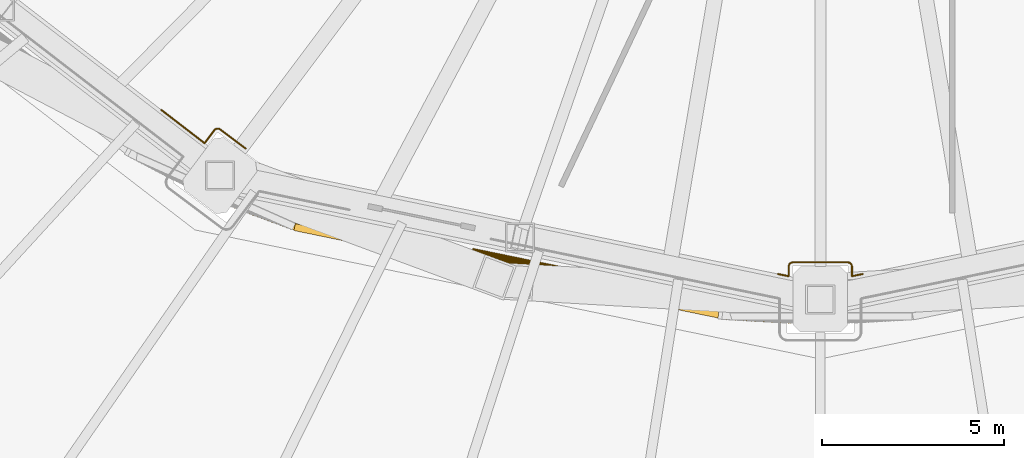
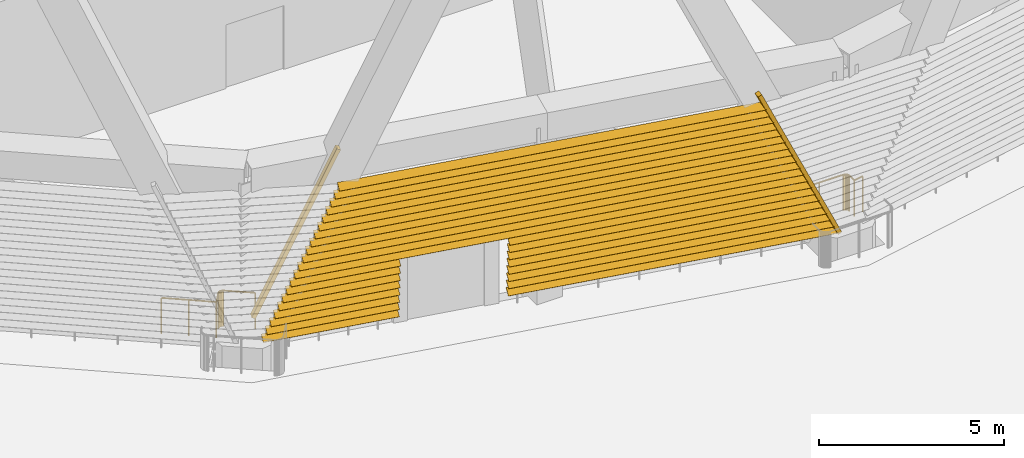
# One storey, part 17 of 27: 2 railings, 1 shading device.
"""IFC4 building model written with IfcOpenShell, lengths in metres."""

from ifc_helpers import new_model, si_unit, direction, frame, origin, origin_2d, place, context, subcontext, project, spatial, rectangle, circle, extrude, material, type_object, element, save


model = new_model("IFC4")

# Units and contexts
model_context = context("Model", 3, precision=1e-05, world=origin(), true_north=direction((0.0, 1.0)))
body_context = subcontext(model_context, "Body", "Model", "MODEL_VIEW")
ifc_project = project(units=[si_unit("LENGTHUNIT", "METRE"), si_unit("AREAUNIT", "SQUARE_METRE"), si_unit("VOLUMEUNIT", "CUBIC_METRE"), si_unit("PLANEANGLEUNIT", "RADIAN"), si_unit("MASSUNIT", "GRAM", prefix="KILO")], contexts=[model_context])

# Site, building, storey
site_placement = place(None, origin())
site = spatial("IfcSite", under=ifc_project, at=site_placement, CompositionType="ELEMENT")
building_placement = place(site_placement, origin())
building = spatial("IfcBuilding", under=site, at=building_placement, Name="Sahrelin Media Tower", CompositionType="ELEMENT")
storey_placement = place(building_placement, frame((0.0, 0.0, 44.0)))
storey = spatial("IfcBuildingStorey", under=building, at=storey_placement, Name="L06", CompositionType="ELEMENT", Elevation=44.0)

# Railings
ifc_material_1 = material(Name="Stainless steel 316", Category="steel")
railing_type = type_object("IfcRailingType", Name="Maintenance platform guard", PredefinedType="GUARDRAIL", material=ifc_material_1)
railing_1_placement = place(storey_placement, frame((-15.790283203125, -21.25439453125, 0.0)))
element("IfcRailing", 1, at=railing_1_placement, inside=storey, type_object=railing_type, Name="Plant level edge guard 9", PredefinedType="GUARDRAIL", context=body_context, shape_type="SweptSolid", body=[
    extrude(circle(Radius=0.02392578125, at=origin_2d()), frame((0.0, 0.0, 1.17578125), z_axis=(-0.799865924291, 0.600178726013, 0.0), x_axis=(-0.600178726013, -0.799865924291, 0.0)), (0.0, 0.0, 1.0), 0.874267578125),
    extrude(circle(Radius=0.02392578125, at=origin_2d()), frame((-0.69921875, 0.524658203125, 1.17578125), z_axis=(-0.828588968691, 0.559857411278, 0.0), x_axis=(-0.559857411278, -0.828588968691, 0.0)), (0.0, 0.0, 1.0), 0.010986328125),
    extrude(circle(Radius=0.02392578125, at=origin_2d()), frame((-0.708251953125, 0.53076171875, 1.17578125), z_axis=(-0.890043364859, 0.455875869806, 0.0), x_axis=(-0.455875869806, -0.890043364859, 0.0)), (0.0, 0.0, 1.0), 0.01123046875),
    extrude(circle(Radius=0.02392578125, at=origin_2d()), frame((-0.71826171875, 0.535888671875, 1.17578125), z_axis=(-0.91785703596, 0.396911150685, 0.0), x_axis=(-0.396911150685, -0.91785703596, 0.0)), (0.0, 0.0, 1.0), 0.009765625),
    extrude(circle(Radius=0.02392578125, at=origin_2d()), frame((-0.727294921875, 0.539794921875, 1.17578125), z_axis=(-0.950605456491, 0.310401781711, 0.0), x_axis=(-0.310401781711, -0.950605456491, 0.0)), (0.0, 0.0, 1.0), 0.0126953125),
    extrude(circle(Radius=0.02392578125, at=origin_2d()), frame((-0.7392578125, 0.543701171875, 1.17578125), z_axis=(-0.978980419738, 0.203954254112, 0.0), x_axis=(-0.203954254112, -0.978980419738, 0.0)), (0.0, 0.0, 1.0), 0.011962890625),
    extrude(circle(Radius=0.02392578125, at=origin_2d()), frame((-0.7509765625, 0.546142578125, 1.17578125), z_axis=(-0.99522852512, 0.097571424031, 0.0), x_axis=(-0.097571424031, -0.99522852512, 0.0)), (0.0, 0.0, 1.0), 0.012451171875),
    extrude(circle(Radius=0.02392578125, at=origin_2d()), frame((-0.763427734375, 0.54736328125, 1.17578125), z_axis=(-1.0, 0.0, 0.0), x_axis=(0.0, -1.0, 0.0)), (0.0, 0.0, 1.0), 0.01220703125),
    extrude(circle(Radius=0.02392578125, at=origin_2d()), frame((-0.775634765625, 0.54736328125, 1.17578125), z_axis=(-0.99503719021, -0.099503719021, 0.0), x_axis=(0.099503719021, -0.99503719021, 0.0)), (0.0, 0.0, 1.0), 0.01220703125),
    extrude(circle(Radius=0.02392578125, at=origin_2d()), frame((-0.787841796875, 0.546142578125, 1.17578125), z_axis=(-0.979602700641, -0.200944143721, 0.0), x_axis=(0.200944143721, -0.979602700641, 0.0)), (0.0, 0.0, 1.0), 0.009765625),
    extrude(circle(Radius=0.02392578125, at=origin_2d()), frame((-0.79736328125, 0.544189453125, 1.17578125), z_axis=(-0.967822506788, -0.251633851765, 0.0), x_axis=(0.251633851765, -0.967822506788, 0.0)), (0.0, 0.0, 1.0), 0.0126953125),
    extrude(circle(Radius=0.02392578125, at=origin_2d()), frame((-0.8095703125, 0.541015625, 1.17578125), z_axis=(-0.911586756889, -0.411107753107, 0.0), x_axis=(0.411107753107, -0.911586756889, 0.0)), (0.0, 0.0, 1.0), 0.013671875),
    extrude(circle(Radius=0.02392578125, at=origin_2d()), frame((-0.822021484375, 0.535400390625, 1.17578125), z_axis=(-0.885397902838, -0.46483389899, 0.0), x_axis=(0.46483389899, -0.885397902838, 0.0)), (0.0, 0.0, 1.0), 0.010986328125),
    extrude(circle(Radius=0.02392578125, at=origin_2d()), frame((-0.831787109375, 0.5302734375, 1.17578125), z_axis=(-0.82039816677, -0.571792661688, 0.0), x_axis=(0.571792661688, -0.82039816677, 0.0)), (0.0, 0.0, 1.0), 0.009765625),
    extrude(circle(Radius=0.02392578125, at=origin_2d()), frame((-0.83984375, 0.524658203125, 1.17578125), z_axis=(-0.8, -0.6, 0.0), x_axis=(0.6, -0.8, 0.0)), (0.0, 0.0, 1.0), 0.010986328125),
    extrude(circle(Radius=0.02392578125, at=origin_2d()), frame((-0.8486328125, 0.51806640625, 1.17578125), z_axis=(-0.715376179206, -0.698739523875, 0.0), x_axis=(0.698739523875, -0.715376179206, 0.0)), (0.0, 0.0, 1.0), 0.0146484375),
    extrude(circle(Radius=0.02392578125, at=origin_2d()), frame((-0.859130859375, 0.5078125, 1.17578125), z_axis=(-0.621394711002, -0.78349767909, 0.0), x_axis=(0.78349767909, -0.621394711002, 0.0)), (0.0, 0.0, 1.0), 0.009033203125),
    extrude(circle(Radius=0.02392578125, at=origin_2d()), frame((-0.86474609375, 0.500732421875, 1.17578125), z_axis=(-0.6, -0.8, 0.0), x_axis=(0.8, -0.6, 0.0)), (0.0, 0.0, 1.0), 0.440673828125),
    extrude(circle(Radius=0.02392578125, at=origin_2d()), frame((-1.129150390625, 0.148193359375, 1.17578125), z_axis=(-0.792496907221, 0.609875931682, 0.0), x_axis=(-0.609875931682, -0.792496907221, 0.0)), (0.0, 0.0, 1.0), 1.5),
    extrude(circle(Radius=0.02099609375, at=origin_2d()), origin(), (0.0, 0.0, 1.0), 1.15185546875),
    extrude(circle(Radius=0.02099609375, at=origin_2d()), frame((-0.69921875, 0.524658203125, 0.0)), (0.0, 0.0, 1.0), 1.15185546875),
    extrude(circle(Radius=0.02099609375, at=origin_2d()), frame((-0.708251953125, 0.53076171875, 0.0)), (0.0, 0.0, 1.0), 1.15185546875),
    extrude(circle(Radius=0.02099609375, at=origin_2d()), frame((-0.71826171875, 0.535888671875, 0.0)), (0.0, 0.0, 1.0), 1.15185546875),
    extrude(circle(Radius=0.02099609375, at=origin_2d()), frame((-0.727294921875, 0.539794921875, 0.0)), (0.0, 0.0, 1.0), 1.15185546875),
    extrude(circle(Radius=0.02099609375, at=origin_2d()), frame((-0.7392578125, 0.543701171875, 0.0)), (0.0, 0.0, 1.0), 1.15185546875),
    extrude(circle(Radius=0.02099609375, at=origin_2d()), frame((-0.7509765625, 0.546142578125, 0.0)), (0.0, 0.0, 1.0), 1.15185546875),
    extrude(circle(Radius=0.02099609375, at=origin_2d()), frame((-0.763427734375, 0.54736328125, 0.0)), (0.0, 0.0, 1.0), 1.15185546875),
    extrude(circle(Radius=0.02099609375, at=origin_2d()), frame((-0.775634765625, 0.54736328125, 0.0)), (0.0, 0.0, 1.0), 1.15185546875),
    extrude(circle(Radius=0.02099609375, at=origin_2d()), frame((-0.787841796875, 0.546142578125, 0.0)), (0.0, 0.0, 1.0), 1.15185546875),
    extrude(circle(Radius=0.02099609375, at=origin_2d()), frame((-0.79736328125, 0.544189453125, 0.0)), (0.0, 0.0, 1.0), 1.15185546875),
    extrude(circle(Radius=0.02099609375, at=origin_2d()), frame((-0.8095703125, 0.541015625, 0.0)), (0.0, 0.0, 1.0), 1.15185546875),
    extrude(circle(Radius=0.02099609375, at=origin_2d()), frame((-0.822021484375, 0.535400390625, 0.0)), (0.0, 0.0, 1.0), 1.15185546875),
    extrude(circle(Radius=0.02099609375, at=origin_2d()), frame((-0.831787109375, 0.5302734375, 0.0)), (0.0, 0.0, 1.0), 1.15185546875),
    extrude(circle(Radius=0.02099609375, at=origin_2d()), frame((-0.83984375, 0.524658203125, 0.0)), (0.0, 0.0, 1.0), 1.15185546875),
    extrude(circle(Radius=0.02099609375, at=origin_2d()), frame((-0.8486328125, 0.51806640625, 0.0)), (0.0, 0.0, 1.0), 1.15185546875),
    extrude(circle(Radius=0.02099609375, at=origin_2d()), frame((-0.859130859375, 0.5078125, 0.0)), (0.0, 0.0, 1.0), 1.15185546875),
    extrude(circle(Radius=0.02099609375, at=origin_2d()), frame((-0.86474609375, 0.500732421875, 0.0)), (0.0, 0.0, 1.0), 1.15185546875),
    extrude(circle(Radius=0.02099609375, at=origin_2d()), frame((-1.129150390625, 0.148193359375, 0.0)), (0.0, 0.0, 1.0), 1.15185546875),
    extrude(circle(Radius=0.02099609375, at=origin_2d()), frame((-1.7236328125, 0.60546875, 0.0)), (0.0, 0.0, 1.0), 1.15185546875),
    extrude(circle(Radius=0.02099609375, at=origin_2d()), frame((-2.31787109375, 1.06298828125, 0.0)), (0.0, 0.0, 1.0), 1.15185546875),
])
railing_2_placement = place(storey_placement, frame((1.1640625, -24.700439453125, 0.0)))
element("IfcRailing", 2, at=railing_2_placement, inside=storey, type_object=railing_type, Name="Plant level edge guard 10", PredefinedType="GUARDRAIL", context=body_context, shape_type="SweptSolid", body=[
    extrude(circle(Radius=0.02392578125, at=origin_2d()), frame((0.0, 0.0, 1.17578125), z_axis=(-0.979438136355, -0.201744732405, 0.0), x_axis=(0.201744732405, -0.979438136355, 0.0)), (0.0, 0.0, 1.0), 0.300048828125),
    extrude(circle(Radius=0.02392578125, at=origin_2d()), frame((-0.2939453125, -0.060546875, 1.17578125), z_axis=(0.0, 1.0, 0.0), x_axis=(-1.0, 0.0, 0.0)), (0.0, 0.0, 1.0), 0.263427734375),
    extrude(circle(Radius=0.02392578125, at=origin_2d()), frame((-0.2939453125, 0.202880859375, 1.17578125), z_axis=(-0.074789948242, 0.997199309888, 0.0), x_axis=(-0.997199309888, -0.074789948242, 0.0)), (0.0, 0.0, 1.0), 0.009765625),
    extrude(circle(Radius=0.02392578125, at=origin_2d()), frame((-0.294677734375, 0.212646484375, 1.17578125), z_axis=(-0.138647844534, 0.990341746674, 0.0), x_axis=(-0.990341746674, -0.138647844534, 0.0)), (0.0, 0.0, 1.0), 0.01220703125),
    extrude(circle(Radius=0.02392578125, at=origin_2d()), frame((-0.29638671875, 0.224853515625, 1.17578125), z_axis=(-0.25449329928, 0.967074537263, 0.0), x_axis=(-0.967074537263, -0.25449329928, 0.0)), (0.0, 0.0, 1.0), 0.009521484375),
    extrude(circle(Radius=0.02392578125, at=origin_2d()), frame((-0.298828125, 0.234130859375, 1.17578125), z_axis=(-0.310738856307, 0.950495325176, 0.0), x_axis=(-0.950495325176, -0.310738856307, 0.0)), (0.0, 0.0, 1.0), 0.013427734375),
    extrude(circle(Radius=0.02392578125, at=origin_2d()), frame((-0.302978515625, 0.246826171875, 1.17578125), z_axis=(-0.461934418837, 0.886914084167, 0.0), x_axis=(-0.886914084167, -0.461934418837, 0.0)), (0.0, 0.0, 1.0), 0.01318359375),
    extrude(circle(Radius=0.02392578125, at=origin_2d()), frame((-0.30908203125, 0.258544921875, 1.17578125), z_axis=(-0.509802390302, 0.860291533634, 0.0), x_axis=(-0.860291533634, -0.509802390302, 0.0)), (0.0, 0.0, 1.0), 0.007568359375),
    extrude(circle(Radius=0.02392578125, at=origin_2d()), frame((-0.31298828125, 0.26513671875, 1.17578125), z_axis=(-0.562310021407, 0.82692650207, 0.0), x_axis=(-0.82692650207, -0.562310021407, 0.0)), (0.0, 0.0, 1.0), 0.0146484375),
    extrude(circle(Radius=0.02392578125, at=origin_2d()), frame((-0.3212890625, 0.27734375, 1.17578125), z_axis=(-0.707106781187, 0.707106781187, 0.0), x_axis=(-0.707106781187, -0.707106781187, 0.0)), (0.0, 0.0, 1.0), 0.0224609375),
    extrude(circle(Radius=0.02392578125, at=origin_2d()), frame((-0.337158203125, 0.293212890625, 1.17578125), z_axis=(-0.82692650207, 0.562310021407, 0.0), x_axis=(-0.562310021407, -0.82692650207, 0.0)), (0.0, 0.0, 1.0), 0.0146484375),
    extrude(circle(Radius=0.02392578125, at=origin_2d()), frame((-0.349365234375, 0.301513671875, 1.17578125), z_axis=(-0.860291533634, 0.509802390302, 0.0), x_axis=(-0.509802390302, -0.860291533634, 0.0)), (0.0, 0.0, 1.0), 0.007568359375),
    extrude(circle(Radius=0.02392578125, at=origin_2d()), frame((-0.35595703125, 0.305419921875, 1.17578125), z_axis=(-0.886914084167, 0.461934418837, 0.0), x_axis=(-0.461934418837, -0.886914084167, 0.0)), (0.0, 0.0, 1.0), 0.01318359375),
    extrude(circle(Radius=0.02392578125, at=origin_2d()), frame((-0.36767578125, 0.3115234375, 1.17578125), z_axis=(-0.950495325176, 0.310738856307, 0.0), x_axis=(-0.310738856307, -0.950495325176, 0.0)), (0.0, 0.0, 1.0), 0.013427734375),
    extrude(circle(Radius=0.02392578125, at=origin_2d()), frame((-0.38037109375, 0.315673828125, 1.17578125), z_axis=(-0.967074537263, 0.25449329928, 0.0), x_axis=(-0.25449329928, -0.967074537263, 0.0)), (0.0, 0.0, 1.0), 0.009521484375),
    extrude(circle(Radius=0.02392578125, at=origin_2d()), frame((-0.3896484375, 0.318115234375, 1.17578125), z_axis=(-0.990341746674, 0.138647844534, 0.0), x_axis=(-0.138647844534, -0.990341746674, 0.0)), (0.0, 0.0, 1.0), 0.01220703125),
    extrude(circle(Radius=0.02392578125, at=origin_2d()), frame((-0.40185546875, 0.31982421875, 1.17578125), z_axis=(-0.997199309888, 0.074789948242, 0.0), x_axis=(-0.074789948242, -0.997199309888, 0.0)), (0.0, 0.0, 1.0), 0.009765625),
    extrude(circle(Radius=0.02392578125, at=origin_2d()), frame((-0.41162109375, 0.320556640625, 1.17578125), z_axis=(-1.0, 0.0, 0.0), x_axis=(0.0, -1.0, 0.0)), (0.0, 0.0, 1.0), 1.5048828125),
    extrude(circle(Radius=0.02392578125, at=origin_2d()), frame((-1.91650390625, 0.320556640625, 1.17578125), z_axis=(-0.997199309888, -0.074789948242, 0.0), x_axis=(0.074789948242, -0.997199309888, 0.0)), (0.0, 0.0, 1.0), 0.009765625),
    extrude(circle(Radius=0.02392578125, at=origin_2d()), frame((-1.92626953125, 0.31982421875, 1.17578125), z_axis=(-0.990341746674, -0.138647844534, 0.0), x_axis=(0.138647844534, -0.990341746674, 0.0)), (0.0, 0.0, 1.0), 0.01220703125),
    extrude(circle(Radius=0.02392578125, at=origin_2d()), frame((-1.9384765625, 0.318115234375, 1.17578125), z_axis=(-0.967074537263, -0.25449329928, 0.0), x_axis=(0.25449329928, -0.967074537263, 0.0)), (0.0, 0.0, 1.0), 0.009521484375),
    extrude(circle(Radius=0.02392578125, at=origin_2d()), frame((-1.94775390625, 0.315673828125, 1.17578125), z_axis=(-0.950495325176, -0.310738856307, 0.0), x_axis=(0.310738856307, -0.950495325176, 0.0)), (0.0, 0.0, 1.0), 0.013427734375),
    extrude(circle(Radius=0.02392578125, at=origin_2d()), frame((-1.96044921875, 0.3115234375, 1.17578125), z_axis=(-0.886914084167, -0.461934418837, 0.0), x_axis=(0.461934418837, -0.886914084167, 0.0)), (0.0, 0.0, 1.0), 0.01318359375),
    extrude(circle(Radius=0.02392578125, at=origin_2d()), frame((-1.97216796875, 0.305419921875, 1.17578125), z_axis=(-0.860291533634, -0.509802390302, 0.0), x_axis=(0.509802390302, -0.860291533634, 0.0)), (0.0, 0.0, 1.0), 0.007568359375),
    extrude(circle(Radius=0.02392578125, at=origin_2d()), frame((-1.978759765625, 0.301513671875, 1.17578125), z_axis=(-0.82692650207, -0.562310021407, 0.0), x_axis=(0.562310021407, -0.82692650207, 0.0)), (0.0, 0.0, 1.0), 0.0146484375),
    extrude(circle(Radius=0.02392578125, at=origin_2d()), frame((-1.990966796875, 0.293212890625, 1.17578125), z_axis=(-0.707106781187, -0.707106781187, 0.0), x_axis=(0.707106781187, -0.707106781187, 0.0)), (0.0, 0.0, 1.0), 0.0224609375),
    extrude(circle(Radius=0.02392578125, at=origin_2d()), frame((-2.0068359375, 0.27734375, 1.17578125), z_axis=(-0.562310021407, -0.82692650207, 0.0), x_axis=(0.82692650207, -0.562310021407, 0.0)), (0.0, 0.0, 1.0), 0.0146484375),
    extrude(circle(Radius=0.02392578125, at=origin_2d()), frame((-2.01513671875, 0.26513671875, 1.17578125), z_axis=(-0.509802390302, -0.860291533634, 0.0), x_axis=(0.860291533634, -0.509802390302, 0.0)), (0.0, 0.0, 1.0), 0.007568359375),
    extrude(circle(Radius=0.02392578125, at=origin_2d()), frame((-2.01904296875, 0.258544921875, 1.17578125), z_axis=(-0.461934418837, -0.886914084167, 0.0), x_axis=(0.886914084167, -0.461934418837, 0.0)), (0.0, 0.0, 1.0), 0.01318359375),
    extrude(circle(Radius=0.02392578125, at=origin_2d()), frame((-2.025146484375, 0.246826171875, 1.17578125), z_axis=(-0.310738856307, -0.950495325176, 0.0), x_axis=(0.950495325176, -0.310738856307, 0.0)), (0.0, 0.0, 1.0), 0.013427734375),
    extrude(circle(Radius=0.02392578125, at=origin_2d()), frame((-2.029296875, 0.234130859375, 1.17578125), z_axis=(-0.25449329928, -0.967074537263, 0.0), x_axis=(0.967074537263, -0.25449329928, 0.0)), (0.0, 0.0, 1.0), 0.009521484375),
    extrude(circle(Radius=0.02392578125, at=origin_2d()), frame((-2.03173828125, 0.224853515625, 1.17578125), z_axis=(-0.138647844534, -0.990341746674, 0.0), x_axis=(0.990341746674, -0.138647844534, 0.0)), (0.0, 0.0, 1.0), 0.01220703125),
    extrude(circle(Radius=0.02392578125, at=origin_2d()), frame((-2.033447265625, 0.212646484375, 1.17578125), z_axis=(-0.074789948242, -0.997199309888, 0.0), x_axis=(0.997199309888, -0.074789948242, 0.0)), (0.0, 0.0, 1.0), 0.009765625),
    extrude(circle(Radius=0.02392578125, at=origin_2d()), frame((-2.0341796875, 0.202880859375, 1.17578125), z_axis=(0.0, -1.0, 0.0), x_axis=(1.0, 0.0, 0.0)), (0.0, 0.0, 1.0), 0.263427734375),
    extrude(circle(Radius=0.02392578125, at=origin_2d()), frame((-2.0341796875, -0.060546875, 1.17578125), z_axis=(-0.979438136355, 0.201744732405, 0.0), x_axis=(-0.201744732405, -0.979438136355, 0.0)), (0.0, 0.0, 1.0), 0.300048828125),
    extrude(circle(Radius=0.02099609375, at=origin_2d()), origin(), (0.0, 0.0, 1.0), 1.15185546875),
    extrude(circle(Radius=0.02099609375, at=origin_2d()), frame((-0.2939453125, -0.060546875, 0.0)), (0.0, 0.0, 1.0), 1.15185546875),
    extrude(circle(Radius=0.02099609375, at=origin_2d()), frame((-0.2939453125, 0.202880859375, 0.0)), (0.0, 0.0, 1.0), 1.15185546875),
    extrude(circle(Radius=0.02099609375, at=origin_2d()), frame((-0.294677734375, 0.212646484375, 0.0)), (0.0, 0.0, 1.0), 1.15185546875),
    extrude(circle(Radius=0.02099609375, at=origin_2d()), frame((-0.29638671875, 0.224853515625, 0.0)), (0.0, 0.0, 1.0), 1.15185546875),
    extrude(circle(Radius=0.02099609375, at=origin_2d()), frame((-0.298828125, 0.234130859375, 0.0)), (0.0, 0.0, 1.0), 1.15185546875),
    extrude(circle(Radius=0.02099609375, at=origin_2d()), frame((-0.302978515625, 0.246826171875, 0.0)), (0.0, 0.0, 1.0), 1.15185546875),
    extrude(circle(Radius=0.02099609375, at=origin_2d()), frame((-0.30908203125, 0.258544921875, 0.0)), (0.0, 0.0, 1.0), 1.15185546875),
    extrude(circle(Radius=0.02099609375, at=origin_2d()), frame((-0.31298828125, 0.26513671875, 0.0)), (0.0, 0.0, 1.0), 1.15185546875),
    extrude(circle(Radius=0.02099609375, at=origin_2d()), frame((-0.3212890625, 0.27734375, 0.0)), (0.0, 0.0, 1.0), 1.15185546875),
    extrude(circle(Radius=0.02099609375, at=origin_2d()), frame((-0.337158203125, 0.293212890625, 0.0)), (0.0, 0.0, 1.0), 1.15185546875),
    extrude(circle(Radius=0.02099609375, at=origin_2d()), frame((-0.349365234375, 0.301513671875, 0.0)), (0.0, 0.0, 1.0), 1.15185546875),
    extrude(circle(Radius=0.02099609375, at=origin_2d()), frame((-0.35595703125, 0.305419921875, 0.0)), (0.0, 0.0, 1.0), 1.15185546875),
    extrude(circle(Radius=0.02099609375, at=origin_2d()), frame((-0.36767578125, 0.3115234375, 0.0)), (0.0, 0.0, 1.0), 1.15185546875),
    extrude(circle(Radius=0.02099609375, at=origin_2d()), frame((-0.38037109375, 0.315673828125, 0.0)), (0.0, 0.0, 1.0), 1.15185546875),
    extrude(circle(Radius=0.02099609375, at=origin_2d()), frame((-0.3896484375, 0.318115234375, 0.0)), (0.0, 0.0, 1.0), 1.15185546875),
    extrude(circle(Radius=0.02099609375, at=origin_2d()), frame((-0.40185546875, 0.31982421875, 0.0)), (0.0, 0.0, 1.0), 1.15185546875),
    extrude(circle(Radius=0.02099609375, at=origin_2d()), frame((-0.41162109375, 0.320556640625, 0.0)), (0.0, 0.0, 1.0), 1.15185546875),
    extrude(circle(Radius=0.02099609375, at=origin_2d()), frame((-1.1640625, 0.320556640625, 0.0)), (0.0, 0.0, 1.0), 1.15185546875),
    extrude(circle(Radius=0.02099609375, at=origin_2d()), frame((-1.91650390625, 0.320556640625, 0.0)), (0.0, 0.0, 1.0), 1.15185546875),
    extrude(circle(Radius=0.02099609375, at=origin_2d()), frame((-1.92626953125, 0.31982421875, 0.0)), (0.0, 0.0, 1.0), 1.15185546875),
    extrude(circle(Radius=0.02099609375, at=origin_2d()), frame((-1.9384765625, 0.318115234375, 0.0)), (0.0, 0.0, 1.0), 1.15185546875),
    extrude(circle(Radius=0.02099609375, at=origin_2d()), frame((-1.94775390625, 0.315673828125, 0.0)), (0.0, 0.0, 1.0), 1.15185546875),
    extrude(circle(Radius=0.02099609375, at=origin_2d()), frame((-1.96044921875, 0.3115234375, 0.0)), (0.0, 0.0, 1.0), 1.15185546875),
    extrude(circle(Radius=0.02099609375, at=origin_2d()), frame((-1.97216796875, 0.305419921875, 0.0)), (0.0, 0.0, 1.0), 1.15185546875),
    extrude(circle(Radius=0.02099609375, at=origin_2d()), frame((-1.978759765625, 0.301513671875, 0.0)), (0.0, 0.0, 1.0), 1.15185546875),
    extrude(circle(Radius=0.02099609375, at=origin_2d()), frame((-1.990966796875, 0.293212890625, 0.0)), (0.0, 0.0, 1.0), 1.15185546875),
    extrude(circle(Radius=0.02099609375, at=origin_2d()), frame((-2.0068359375, 0.27734375, 0.0)), (0.0, 0.0, 1.0), 1.15185546875),
    extrude(circle(Radius=0.02099609375, at=origin_2d()), frame((-2.01513671875, 0.26513671875, 0.0)), (0.0, 0.0, 1.0), 1.15185546875),
    extrude(circle(Radius=0.02099609375, at=origin_2d()), frame((-2.01904296875, 0.258544921875, 0.0)), (0.0, 0.0, 1.0), 1.15185546875),
    extrude(circle(Radius=0.02099609375, at=origin_2d()), frame((-2.025146484375, 0.246826171875, 0.0)), (0.0, 0.0, 1.0), 1.15185546875),
    extrude(circle(Radius=0.02099609375, at=origin_2d()), frame((-2.029296875, 0.234130859375, 0.0)), (0.0, 0.0, 1.0), 1.15185546875),
    extrude(circle(Radius=0.02099609375, at=origin_2d()), frame((-2.03173828125, 0.224853515625, 0.0)), (0.0, 0.0, 1.0), 1.15185546875),
    extrude(circle(Radius=0.02099609375, at=origin_2d()), frame((-2.033447265625, 0.212646484375, 0.0)), (0.0, 0.0, 1.0), 1.15185546875),
    extrude(circle(Radius=0.02099609375, at=origin_2d()), frame((-2.0341796875, 0.202880859375, 0.0)), (0.0, 0.0, 1.0), 1.15185546875),
    extrude(circle(Radius=0.02099609375, at=origin_2d()), frame((-2.0341796875, -0.060546875, 0.0)), (0.0, 0.0, 1.0), 1.15185546875),
    extrude(circle(Radius=0.02099609375, at=origin_2d()), frame((-2.328125, 0.0, 0.0)), (0.0, 0.0, 1.0), 1.15185546875),
])

# Shading device
ifc_material_2 = material(Name="Champagne anodised aluminium 6063-T6", Category="aluminium")
shading_device_type = type_object("IfcShadingDeviceType", Name="Sand-rejection louvre band", PredefinedType="USERDEFINED", material=ifc_material_2)
shading_device_placement = place(storey_placement, frame((-8.280029296875, -23.6923828125, 0.0), z_axis=(0.0, 0.0, 1.0), x_axis=(-0.979386112403, 0.201997135701, 0.0)))
element("IfcShadingDevice", 3, at=shading_device_placement, inside=storey, type_object=shading_device_type, Name="L06:LOUVRE:L06-17", ObjectType="LOUVRE", PredefinedType="USERDEFINED", context=body_context, shape_type="SweptSolid", body=[
    extrude(rectangle(XDim=0.199951171875, YDim=0.1201171875, at=origin_2d()), frame((8.02001953125, -0.550048828125, 0.64990234375), z_axis=(-0.397844932486, 0.060739684349, 0.91543983988), x_axis=(-0.150922980828, -0.988545524424, 0.0)), (0.0, 0.0, 1.0), 5.7880859375),
    extrude(rectangle(XDim=0.199951171875, YDim=0.1201171875, at=origin_2d()), frame((-8.24755859375, 0.63671875, 0.64990234375), z_axis=(0.411241890655, 0.060347327274, 0.909526419331), x_axis=(-0.145189201011, 0.989403909387, 0.0)), (0.0, 0.0, 1.0), 5.82568359375),
    extrude(rectangle(XDim=0.25, YDim=0.02001953125, at=origin_2d()), frame((8.158447265625, 0.64990234375, 0.75), z_axis=(-1.0, 0.0, 0.0), x_axis=(0.0, -0.766044443119, 0.642787609687)), (0.0, 0.0, 1.0), 3.875244140625),
    extrude(rectangle(XDim=0.25, YDim=0.02001953125, at=origin_2d()), frame((1.18310546875, 0.64990234375, 0.75), z_axis=(-1.0, 0.0, 0.0), x_axis=(0.0, -0.766044443119, 0.642787609687)), (0.0, 0.0, 1.0), 9.386474609375),
    extrude(rectangle(XDim=0.25, YDim=0.02001953125, at=origin_2d()), frame((8.0498046875, 0.666259765625, 1.0), z_axis=(-1.0, 0.0, 0.0), x_axis=(0.0, -0.766044443119, 0.642787609687)), (0.0, 0.0, 1.0), 3.7666015625),
    extrude(rectangle(XDim=0.25, YDim=0.02001953125, at=origin_2d()), frame((1.18310546875, 0.666259765625, 1.0), z_axis=(-1.0, 0.0, 0.0), x_axis=(0.0, -0.766044443119, 0.642787609687)), (0.0, 0.0, 1.0), 9.2734375),
    extrude(rectangle(XDim=0.25, YDim=0.02001953125, at=origin_2d()), frame((7.94140625, 0.682861328125, 1.25), z_axis=(-1.0, 0.0, 0.0), x_axis=(0.0, -0.766044443119, 0.642787609687)), (0.0, 0.0, 1.0), 3.658203125),
    extrude(rectangle(XDim=0.25, YDim=0.02001953125, at=origin_2d()), frame((1.18310546875, 0.682861328125, 1.25), z_axis=(-1.0, 0.0, 0.0), x_axis=(0.0, -0.766044443119, 0.642787609687)), (0.0, 0.0, 1.0), 9.160400390625),
    extrude(rectangle(XDim=0.25, YDim=0.02001953125, at=origin_2d()), frame((7.83251953125, 0.699462890625, 1.5), z_axis=(-1.0, 0.0, 0.0), x_axis=(0.0, -0.766044443119, 0.642787609687)), (0.0, 0.0, 1.0), 3.54931640625),
    extrude(rectangle(XDim=0.25, YDim=0.02001953125, at=origin_2d()), frame((1.18310546875, 0.699462890625, 1.5), z_axis=(-1.0, 0.0, 0.0), x_axis=(0.0, -0.766044443119, 0.642787609687)), (0.0, 0.0, 1.0), 9.04736328125),
    extrude(rectangle(XDim=0.25, YDim=0.02001953125, at=origin_2d()), frame((7.72412109375, 0.716064453125, 1.75), z_axis=(-1.0, 0.0, 0.0), x_axis=(0.0, -0.766044443119, 0.642787609687)), (0.0, 0.0, 1.0), 3.44091796875),
    extrude(rectangle(XDim=0.25, YDim=0.02001953125, at=origin_2d()), frame((1.18310546875, 0.716064453125, 1.75), z_axis=(-1.0, 0.0, 0.0), x_axis=(0.0, -0.766044443119, 0.642787609687)), (0.0, 0.0, 1.0), 8.934326171875),
    extrude(rectangle(XDim=0.25, YDim=0.02001953125, at=origin_2d()), frame((7.615234375, 0.732666015625, 2.0), z_axis=(-1.0, 0.0, 0.0), x_axis=(0.0, -0.766044443119, 0.642787609687)), (0.0, 0.0, 1.0), 3.33203125),
    extrude(rectangle(XDim=0.25, YDim=0.02001953125, at=origin_2d()), frame((1.18310546875, 0.732666015625, 2.0), z_axis=(-1.0, 0.0, 0.0), x_axis=(0.0, -0.766044443119, 0.642787609687)), (0.0, 0.0, 1.0), 8.8212890625),
    extrude(rectangle(XDim=0.25, YDim=0.02001953125, at=origin_2d()), frame((7.506591796875, 0.749267578125, 2.25), z_axis=(-1.0, 0.0, 0.0), x_axis=(0.0, -0.766044443119, 0.642787609687)), (0.0, 0.0, 1.0), 3.223388671875),
    extrude(rectangle(XDim=0.25, YDim=0.02001953125, at=origin_2d()), frame((1.18310546875, 0.749267578125, 2.25), z_axis=(-1.0, 0.0, 0.0), x_axis=(0.0, -0.766044443119, 0.642787609687)), (0.0, 0.0, 1.0), 8.708251953125),
    extrude(rectangle(XDim=0.25, YDim=0.02001953125, at=origin_2d()), frame((7.39794921875, 0.765869140625, 2.5), z_axis=(-1.0, 0.0, 0.0), x_axis=(0.0, -0.766044443119, 0.642787609687)), (0.0, 0.0, 1.0), 3.11474609375),
    extrude(rectangle(XDim=0.25, YDim=0.02001953125, at=origin_2d()), frame((1.18310546875, 0.765869140625, 2.5), z_axis=(-1.0, 0.0, 0.0), x_axis=(0.0, -0.766044443119, 0.642787609687)), (0.0, 0.0, 1.0), 8.59521484375),
    extrude(rectangle(XDim=0.25, YDim=0.02001953125, at=origin_2d()), frame((7.289306640625, 0.782470703125, 2.75), z_axis=(-1.0, 0.0, 0.0), x_axis=(0.0, -0.766044443119, 0.642787609687)), (0.0, 0.0, 1.0), 14.58837890625),
    extrude(rectangle(XDim=0.25, YDim=0.02001953125, at=origin_2d()), frame((7.180908203125, 0.799072265625, 3.0), z_axis=(-1.0, 0.0, 0.0), x_axis=(0.0, -0.766044443119, 0.642787609687)), (0.0, 0.0, 1.0), 14.366943359375),
    extrude(rectangle(XDim=0.25, YDim=0.02001953125, at=origin_2d()), frame((7.072021484375, 0.815673828125, 3.25), z_axis=(-1.0, 0.0, 0.0), x_axis=(0.0, -0.766044443119, 0.642787609687)), (0.0, 0.0, 1.0), 14.14501953125),
    extrude(rectangle(XDim=0.25, YDim=0.02001953125, at=origin_2d()), frame((6.96337890625, 0.832275390625, 3.5), z_axis=(-1.0, 0.0, 0.0), x_axis=(0.0, -0.766044443119, 0.642787609687)), (0.0, 0.0, 1.0), 13.92333984375),
    extrude(rectangle(XDim=0.25, YDim=0.02001953125, at=origin_2d()), frame((6.854736328125, 0.848876953125, 3.75), z_axis=(-1.0, 0.0, 0.0), x_axis=(0.0, -0.766044443119, 0.642787609687)), (0.0, 0.0, 1.0), 13.70166015625),
    extrude(rectangle(XDim=0.25, YDim=0.02001953125, at=origin_2d()), frame((6.74609375, 0.865234375, 4.0), z_axis=(-1.0, 0.0, 0.0), x_axis=(0.0, -0.766044443119, 0.642787609687)), (0.0, 0.0, 1.0), 13.47998046875),
    extrude(rectangle(XDim=0.25, YDim=0.02001953125, at=origin_2d()), frame((6.637451171875, 0.8818359375, 4.25), z_axis=(-1.0, 0.0, 0.0), x_axis=(0.0, -0.766044443119, 0.642787609687)), (0.0, 0.0, 1.0), 13.25830078125),
    extrude(rectangle(XDim=0.25, YDim=0.02001953125, at=origin_2d()), frame((6.52880859375, 0.8984375, 4.5), z_axis=(-1.0, 0.0, 0.0), x_axis=(0.0, -0.766044443119, 0.642787609687)), (0.0, 0.0, 1.0), 13.03662109375),
    extrude(rectangle(XDim=0.25, YDim=0.02001953125, at=origin_2d()), frame((6.42041015625, 0.9150390625, 4.75), z_axis=(-1.0, 0.0, 0.0), x_axis=(0.0, -0.766044443119, 0.642787609687)), (0.0, 0.0, 1.0), 12.815185546875),
    extrude(rectangle(XDim=0.25, YDim=0.02001953125, at=origin_2d()), frame((6.3115234375, 0.931640625, 5.0), z_axis=(-1.0, 0.0, 0.0), x_axis=(0.0, -0.766044443119, 0.642787609687)), (0.0, 0.0, 1.0), 12.59326171875),
    extrude(rectangle(XDim=0.25, YDim=0.02001953125, at=origin_2d()), frame((6.202880859375, 0.9482421875, 5.25), z_axis=(-1.0, 0.0, 0.0), x_axis=(0.0, -0.766044443119, 0.642787609687)), (0.0, 0.0, 1.0), 12.37158203125),
    extrude(rectangle(XDim=0.25, YDim=0.02001953125, at=origin_2d()), frame((6.09423828125, 0.96484375, 5.5), z_axis=(-1.0, 0.0, 0.0), x_axis=(0.0, -0.766044443119, 0.642787609687)), (0.0, 0.0, 1.0), 12.14990234375),
])

save(model, "model.ifc")
